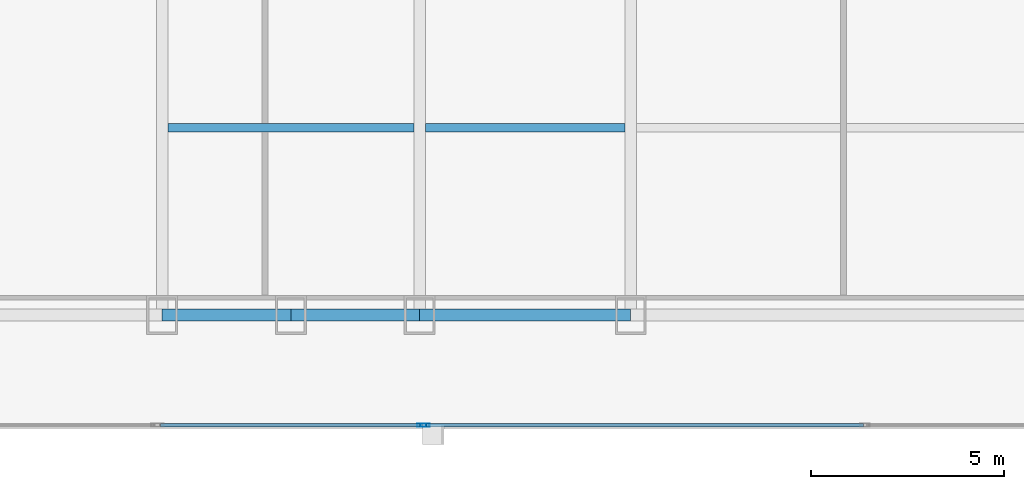
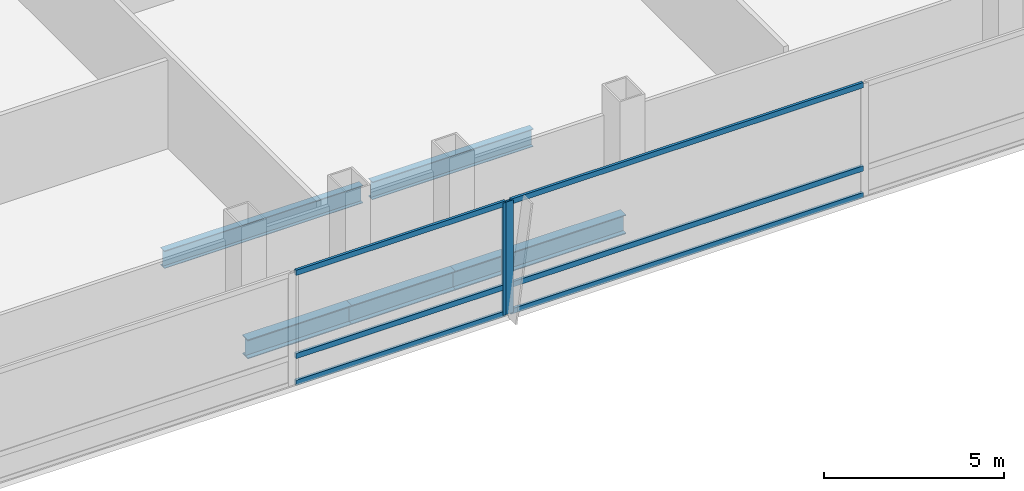
# One storey, part 8 of 32: 8 members, 5 beams, 2 elements without a shape of their own.
"""IFC4 building model written with IfcOpenShell, lengths in metres."""

from ifc_helpers import new_model, si_unit, direction, frame, origin, origin_2d, place, context, subcontext, project, spatial, hollow_rectangle, i_section, extrude, material, material_profile, profile_set, type_object, element, aggregate, save


model = new_model("IFC4")

# Units and contexts
model_context = context("Model", 3, precision=1e-05, world=origin(), true_north=direction((0.0, 1.0)))
body_context = subcontext(model_context, "Body", "Model", "MODEL_VIEW")
ifc_project = project(units=[si_unit("LENGTHUNIT", "METRE"), si_unit("AREAUNIT", "SQUARE_METRE"), si_unit("VOLUMEUNIT", "CUBIC_METRE"), si_unit("PLANEANGLEUNIT", "RADIAN"), si_unit("MASSUNIT", "GRAM", prefix="KILO")], contexts=[model_context])

# Site, building, storey
site_placement = place(None, origin())
site = spatial("IfcSite", under=ifc_project, at=site_placement, CompositionType="ELEMENT")
building_placement = place(site_placement, origin())
building = spatial("IfcBuilding", under=site, at=building_placement, Name="Khoronbel Lancet Exchange", CompositionType="ELEMENT")
storey_placement = place(building_placement, frame((0.0, 0.0, 41.800048828125)))
storey = spatial("IfcBuildingStorey", under=building, at=storey_placement, Name="L09", CompositionType="ELEMENT", Elevation=41.800048828125)

# Beams
ifc_material_1 = material(Name="Steel S355", Category="steel")
ifc_material_profile_1 = material_profile(ifc_material_1, i_section(OverallWidth=0.219970703125, OverallDepth=0.60009765625, WebThickness=0.011962890625, FlangeThickness=0.01904296875, at=origin_2d()), Name="IPE 600")
ifc_profile_set_1 = profile_set([ifc_material_profile_1], Name="Steel S355")
beam_type_1 = type_object("IfcBeamType", Name="BM-BJ1", PredefinedType="JOIST", material=ifc_profile_set_1)
beam_1_placement = place(storey_placement, frame((18.375, 15.0, -0.47998046875), z_axis=(1.0, 0.0, 0.0), x_axis=(0.0, 1.0, 0.0)))
element("IfcBeam", 1, at=beam_1_placement, inside=storey, type_object=beam_type_1, Name="Level L09 secondary composite joist J01", PredefinedType="JOIST", context=body_context, shape_type="SweptSolid", body=[
    extrude(i_section(OverallWidth=0.219970703125, OverallDepth=0.60009765625, WebThickness=0.011962890625, FlangeThickness=0.01904296875, at=origin_2d()), origin(), (0.0, 0.0, 1.0), 6.375),
])
beam_2_placement = place(storey_placement, frame((25.050048828125, 15.0, -0.47998046875), z_axis=(1.0, 0.0, 0.0), x_axis=(0.0, 1.0, 0.0)))
element("IfcBeam", 2, at=beam_2_placement, inside=storey, type_object=beam_type_1, Name="Level L09 secondary composite joist J02", PredefinedType="JOIST", context=body_context, shape_type="SweptSolid", body=[
    extrude(i_section(OverallWidth=0.219970703125, OverallDepth=0.60009765625, WebThickness=0.011962890625, FlangeThickness=0.01904296875, at=origin_2d()), origin(), (0.0, 0.0, 1.0), 5.175048828125),
])
ifc_material_profile_2 = material_profile(ifc_material_1, i_section(OverallWidth=0.300048828125, OverallDepth=0.64990234375, WebThickness=0.01611328125, FlangeThickness=0.031005859375, at=origin_2d()), Name="HEB 650")
ifc_profile_set_2 = profile_set([ifc_material_profile_2], Name="Steel S355")
beam_type_2 = type_object("IfcBeamType", Name="BM-BSP1", PredefinedType="SPANDREL", material=ifc_profile_set_2)
for number, where, z_axis, x_axis, name in (
    (3, (18.22509765625, 10.14990234375, -0.505126953125), (1.0, 0.0, 0.0), (0.0, 1.0, 0.0), "Level L09 perimeter spandrel beam SP02"),
    (4, (21.5625, 10.14990234375, -0.505126953125), (1.0, 0.0, 0.0), (0.0, 1.0, 0.0), "Level L09 perimeter spandrel beam SP03"),
):
    element("IfcBeam", number, at=place(storey_placement, frame(where, z_axis=z_axis, x_axis=x_axis)), inside=storey, type_object=beam_type_2, Name=name, PredefinedType="SPANDREL", context=body_context, shape_type="SweptSolid", body=[
        extrude(i_section(OverallWidth=0.300048828125, OverallDepth=0.64990234375, WebThickness=0.01611328125, FlangeThickness=0.031005859375, at=origin_2d()), origin(), (0.0, 0.0, 1.0), 3.33740234375),
    ])
beam_3_placement = place(storey_placement, frame((24.89990234375, 10.14990234375, -0.505126953125), z_axis=(1.0, 0.0, 0.0), x_axis=(0.0, 1.0, 0.0)))
element("IfcBeam", 5, at=beam_3_placement, inside=storey, type_object=beam_type_2, Name="Level L09 perimeter spandrel beam SP04", PredefinedType="SPANDREL", context=body_context, shape_type="SweptSolid", body=[
    extrude(i_section(OverallWidth=0.300048828125, OverallDepth=0.64990234375, WebThickness=0.01611328125, FlangeThickness=0.031005859375, at=origin_2d()), origin(), (0.0, 0.0, 1.0), 5.47509765625),
])

# Curtain wall, member
ifc_material_2 = material(Name="Low-E Solar Control Insulating Glass", Category="glass")
curtain_wall_type = type_object("IfcCurtainWallType", Name="CW-1", PredefinedType="NOTDEFINED", material=ifc_material_2)
curtain_wall_1_placement = place(storey_placement, origin())
curtain_wall_1 = element("IfcCurtainWall", 6, at=curtain_wall_1_placement, inside=storey, type_object=curtain_wall_type, Name="Unitised curtain wall CW-L09-SWB", PredefinedType="NOTDEFINED")
ifc_material_3 = material(Name="Bronze-Anodised Aluminium 6063-T6", Category="aluminium")
ifc_material_profile_3 = material_profile(ifc_material_3, hollow_rectangle(XDim=0.0849609375, YDim=0.239990234375, WallThickness=0.006103515625, at=origin_2d()), Name="ALU MULLION 85x240")
ifc_profile_set_3 = profile_set([ifc_material_profile_3], Name="Bronze-Anodised Aluminium 6063-T6")
member_type_1 = type_object("IfcMemberType", Name="MEM-CWM1", PredefinedType="MULLION", material=ifc_profile_set_3)
member_1_placement = place(storey_placement, frame((24.95751953125, 7.2900390625, 0.0), z_axis=(0.0, 0.0, 1.0), x_axis=(0.0, 1.0, 0.0)))
member_1 = element("IfcMember", 7, at=member_1_placement, type_object=member_type_1, Name="CW1 mullion 2", PredefinedType="MULLION", context=body_context, shape_type="SweptSolid", body=[
    extrude(hollow_rectangle(XDim=0.0849609375, YDim=0.239990234375, WallThickness=0.006103515625, at=origin_2d()), origin(), (0.0, 0.0, 1.0), 3.820068359375),
])

curtain_wall_2_placement = place(storey_placement, origin())
curtain_wall_2 = element("IfcCurtainWall", 8, at=curtain_wall_2_placement, inside=storey, type_object=curtain_wall_type, Name="Unitised curtain wall CW-L09-SCV", PredefinedType="NOTDEFINED")
member_2_placement = place(storey_placement, frame((25.04248046875, 7.2900390625, 0.0), z_axis=(0.0, 0.0, 1.0), x_axis=(0.0, 1.0, 0.0)))
member_2 = element("IfcMember", 9, at=member_2_placement, type_object=member_type_1, Name="CW1 mullion 1", PredefinedType="MULLION", context=body_context, shape_type="SweptSolid", body=[
    extrude(hollow_rectangle(XDim=0.0849609375, YDim=0.239990234375, WallThickness=0.006103515625, at=origin_2d()), origin(), (0.0, 0.0, 1.0), 3.820068359375),
])

# Member
ifc_material_profile_4 = material_profile(ifc_material_3, hollow_rectangle(XDim=0.0849609375, YDim=0.179931640625, WallThickness=0.0048828125, at=origin_2d()), Name="ALU TRANSOM 85x180")
ifc_profile_set_4 = profile_set([ifc_material_profile_4], Name="Bronze-Anodised Aluminium 6063-T6")
member_type_2 = type_object("IfcMemberType", Name="MEM-CWT1", PredefinedType="USERDEFINED", material=ifc_profile_set_4)
member_3_placement = place(storey_placement, frame((18.18505859375, 7.2900390625, 0.04248046875), z_axis=(1.0, 0.0, 0.0), x_axis=(0.0, 1.0, 0.0)))
member_3 = element("IfcMember", 10, at=member_3_placement, type_object=member_type_2, Name="CW1 transom 1.1", ObjectType="TRANSOM", PredefinedType="USERDEFINED", context=body_context, shape_type="SweptSolid", body=[
    extrude(hollow_rectangle(XDim=0.0849609375, YDim=0.179931640625, WallThickness=0.0048828125, at=origin_2d()), origin(), (0.0, 0.0, 1.0), 6.72998046875),
])

member_4_placement = place(storey_placement, frame((18.18505859375, 7.2900390625, 0.949951171875), z_axis=(1.0, 0.0, 0.0), x_axis=(0.0, 1.0, 0.0)))
member_4 = element("IfcMember", 11, at=member_4_placement, type_object=member_type_2, Name="CW1 transom 1.2", ObjectType="TRANSOM", PredefinedType="USERDEFINED", context=body_context, shape_type="SweptSolid", body=[
    extrude(hollow_rectangle(XDim=0.0849609375, YDim=0.179931640625, WallThickness=0.0048828125, at=origin_2d()), origin(), (0.0, 0.0, 1.0), 6.72998046875),
])

member_5_placement = place(storey_placement, frame((18.18505859375, 7.2900390625, 3.77734375), z_axis=(1.0, 0.0, 0.0), x_axis=(0.0, 1.0, 0.0)))
member_5 = element("IfcMember", 12, at=member_5_placement, type_object=member_type_2, Name="CW1 transom 1.3", ObjectType="TRANSOM", PredefinedType="USERDEFINED", context=body_context, shape_type="SweptSolid", body=[
    extrude(hollow_rectangle(XDim=0.0849609375, YDim=0.179931640625, WallThickness=0.0048828125, at=origin_2d()), origin(), (0.0, 0.0, 1.0), 6.72998046875),
])

aggregate(curtain_wall_1, [member_1, member_3, member_4, member_5])

member_6_placement = place(storey_placement, frame((25.0849609375, 7.2900390625, 0.04248046875), z_axis=(1.0, 0.0, 0.0), x_axis=(0.0, 1.0, 0.0)))
member_6 = element("IfcMember", 13, at=member_6_placement, type_object=member_type_2, Name="CW1 transom 1.1", ObjectType="TRANSOM", PredefinedType="USERDEFINED", context=body_context, shape_type="SweptSolid", body=[
    extrude(hollow_rectangle(XDim=0.0849609375, YDim=0.179931640625, WallThickness=0.0048828125, at=origin_2d()), origin(), (0.0, 0.0, 1.0), 11.322509765625),
])

member_7_placement = place(storey_placement, frame((25.0849609375, 7.2900390625, 0.949951171875), z_axis=(1.0, 0.0, 0.0), x_axis=(0.0, 1.0, 0.0)))
member_7 = element("IfcMember", 14, at=member_7_placement, type_object=member_type_2, Name="CW1 transom 1.2", ObjectType="TRANSOM", PredefinedType="USERDEFINED", context=body_context, shape_type="SweptSolid", body=[
    extrude(hollow_rectangle(XDim=0.0849609375, YDim=0.179931640625, WallThickness=0.0048828125, at=origin_2d()), origin(), (0.0, 0.0, 1.0), 11.322509765625),
])

member_8_placement = place(storey_placement, frame((25.0849609375, 7.2900390625, 3.77734375), z_axis=(1.0, 0.0, 0.0), x_axis=(0.0, 1.0, 0.0)))
member_8 = element("IfcMember", 15, at=member_8_placement, type_object=member_type_2, Name="CW1 transom 1.3", ObjectType="TRANSOM", PredefinedType="USERDEFINED", context=body_context, shape_type="SweptSolid", body=[
    extrude(hollow_rectangle(XDim=0.0849609375, YDim=0.179931640625, WallThickness=0.0048828125, at=origin_2d()), origin(), (0.0, 0.0, 1.0), 11.322509765625),
])

aggregate(curtain_wall_2, [member_2, member_6, member_7, member_8])

save(model, "model.ifc")
